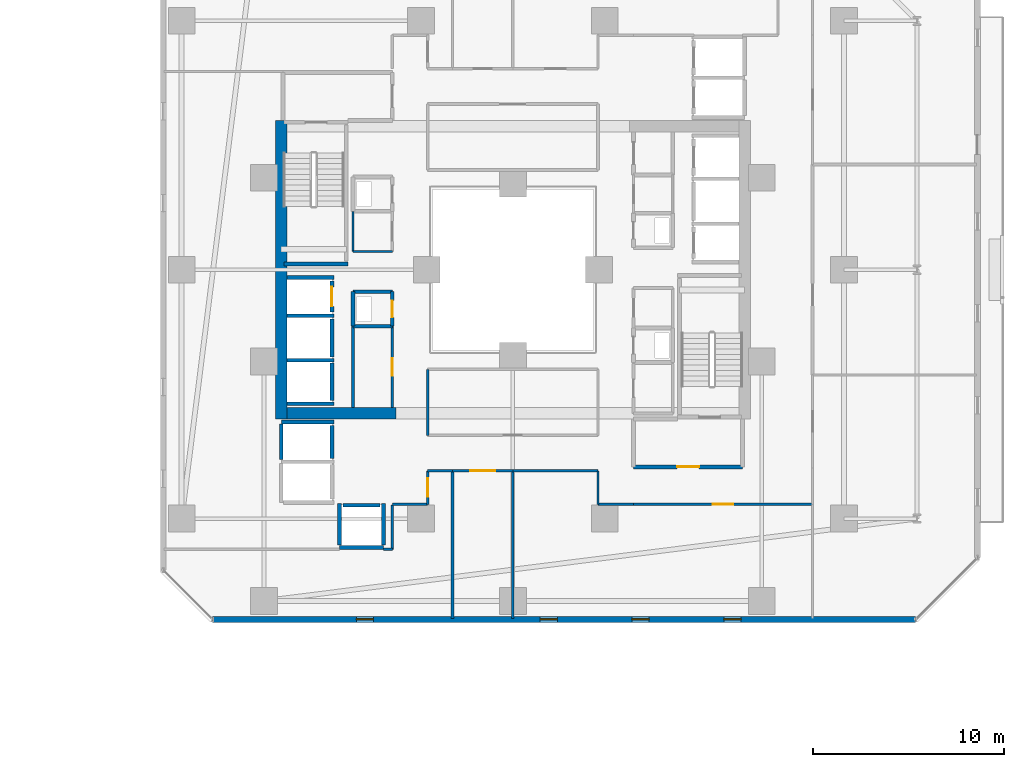
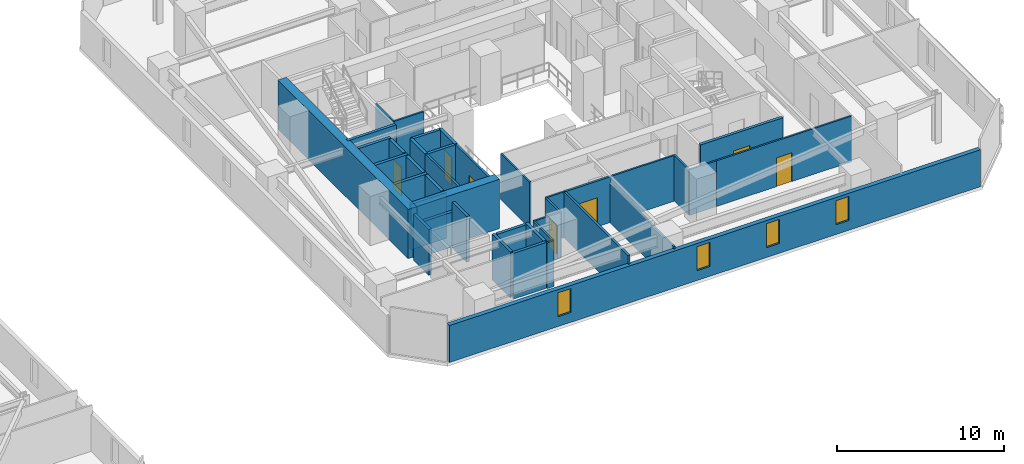
# One storey, part 24 of 34: 40 walls, 7 doors, 4 windows, 11 openings.
"""IFC4 building model written with IfcOpenShell, lengths in metres."""

import ifcopenshell
import ifcopenshell.guid

model = None  # the IFC model being written
_history = None  # IfcOwnerHistory: only IFC2X3 demands one
_inside = {}  # id of a spatial element -> (the spatial element, [elements in it])
_under = {}  # id of a project, library or spatial element -> (it, [spatial elements below it])
_declared = {}  # id of a project -> (the project, [libraries it declares])
_typed = {}  # id of a type object -> (the type object, [elements of that type])
_made_of = {}  # id of a material, layer set ... -> (it, [elements and type objects made of it])


def new_model(schema):
    """Start an empty IFC model of exactly this schema.

    Asked for "IFC4X3", IfcOpenShell would pick the latest addendum, in which some entities
    have other attributes; the version numbers below select the first issue.
    IFC2X3 requires an IfcOwnerHistory on every rooted entity: one is made here for all.
    """
    global model, _history
    if schema == "IFC4X3":
        model = ifcopenshell.file(schema_version=(4, 3, 0, 0))
    else:
        model = ifcopenshell.file(schema=schema)
    _inside.clear()
    _under.clear()
    _declared.clear()
    _typed.clear()
    _made_of.clear()
    _history = None
    if model.schema == "IFC2X3":
        org = make("IfcOrganization", Name="unknown")
        user = make(
            "IfcPersonAndOrganization",
            ThePerson=make("IfcPerson", FamilyName="unknown"),
            TheOrganization=org,
        )
        app = make(
            "IfcApplication",
            ApplicationDeveloper=org,
            Version="unknown",
            ApplicationFullName="unknown",
            ApplicationIdentifier="unknown",
        )
        _history = make(
            "IfcOwnerHistory",
            OwningUser=user,
            OwningApplication=app,
            ChangeAction="ADDED",
            CreationDate=0,
        )
    return model


def make(cls, **values):
    """One entity of the class cls with the attributes given. An attribute that is None is left unset."""
    return model.create_entity(
        cls, **{name: value for name, value in values.items() if value is not None}
    )


def rooted(cls, **values):
    """An entity with a GlobalId (a new one), such as an element, a storey or a relation."""
    return make(cls, GlobalId=ifcopenshell.guid.new(), OwnerHistory=_history, **values)


def si_unit(unit_type, name, prefix=None):
    """IfcSIUnit, for example si_unit("LENGTHUNIT", "METRE", prefix="MILLI")."""
    return make("IfcSIUnit", UnitType=unit_type, Prefix=prefix, Name=name)


def assignment(units):
    """IfcUnitAssignment: the units of a project."""
    return None if units is None else make("IfcUnitAssignment", Units=units)


def point(xyz):
    """IfcCartesianPoint."""
    return None if xyz is None else make("IfcCartesianPoint", Coordinates=xyz)


def direction(xyz):
    """IfcDirection."""
    return None if xyz is None else make("IfcDirection", DirectionRatios=xyz)


def frame(location, z_axis=None, x_axis=None):
    """IfcAxis2Placement3D, a coordinate frame: its origin and axes. An axis left out is left unset."""
    return make(
        "IfcAxis2Placement3D",
        Location=point(location),
        Axis=direction(z_axis),
        RefDirection=direction(x_axis),
    )


def frame_2d(location, x_axis=None):
    """IfcAxis2Placement2D, a coordinate frame in the plane: its origin and x axis."""
    return make(
        "IfcAxis2Placement2D", Location=point(location), RefDirection=direction(x_axis)
    )


def origin():
    """The frame at (0, 0, 0) with its axes left unset."""
    return frame((0.0, 0.0, 0.0))


def place(relative_to, where):
    """IfcLocalPlacement: puts the frame where relative to a parent placement (None: the world)."""
    return make(
        "IfcLocalPlacement", PlacementRelTo=relative_to, RelativePlacement=where
    )


def context(
    kind, dimensions, precision=None, world=None, true_north=None, identifier=None
):
    """IfcGeometricRepresentationContext, for example the 3D "Model" context."""
    return make(
        "IfcGeometricRepresentationContext",
        ContextIdentifier=identifier,
        ContextType=kind,
        CoordinateSpaceDimension=dimensions,
        Precision=precision,
        WorldCoordinateSystem=world,
        TrueNorth=true_north,
    )


def subcontext(parent, identifier, kind, view, scale=None):
    """IfcGeometricRepresentationSubContext, for example "Body" below "Model"."""
    return make(
        "IfcGeometricRepresentationSubContext",
        ContextIdentifier=identifier,
        ContextType=kind,
        ParentContext=parent,
        TargetScale=scale,
        TargetView=view,
    )


def project(units=None, contexts=None):
    """IfcProject with its units and contexts."""
    return rooted(
        "IfcProject",
        Name="project",
        RepresentationContexts=contexts,
        UnitsInContext=assignment(units),
    )


def spatial(cls, under=None, at=None, **own):
    """A site, building, storey or space (cls), placed at a placement, below another one or the project."""
    s = rooted(cls, ObjectPlacement=at, **own)
    if under is not None:
        _under.setdefault(under.id(), (under, []))[1].append(s)
    return s


def profile(cls, at=None, kind="AREA", **sizes):
    """A parametric profile (cls). Its sizes go by their IFC names, for example OverallWidth=200.0."""
    return make(cls, ProfileType=kind, Position=at, **sizes)


def rectangle(**sizes):
    """IfcRectangleProfileDef."""
    return profile("IfcRectangleProfileDef", **sizes)


def extrude(swept, where, along, depth):
    """IfcExtrudedAreaSolid: the profile swept, set in the frame where, extruded along a direction by depth."""
    return make(
        "IfcExtrudedAreaSolid",
        SweptArea=swept,
        Position=where,
        ExtrudedDirection=direction(along),
        Depth=depth,
    )


def shape(context_of_items, identifier, shape_type, items):
    """IfcShapeRepresentation: the items that make up one representation, for example the "Body"."""
    return make(
        "IfcShapeRepresentation",
        ContextOfItems=context_of_items,
        RepresentationIdentifier=identifier,
        RepresentationType=shape_type,
        Items=items,
    )


def material(Name=None, Category=None):
    """IfcMaterial."""
    return make("IfcMaterial", Name=Name, Category=Category)


def layer(
    of_material, thickness, ventilated=None, Name=None, Category=None, Priority=None
):
    """IfcMaterialLayer: one layer of a wall or slab, of a material (None: an air gap)."""
    return make(
        "IfcMaterialLayer",
        Material=of_material,
        LayerThickness=thickness,
        IsVentilated=ventilated,
        Name=Name,
        Category=Category,
        Priority=Priority,
    )


def layer_set(layers, Name=None):
    """IfcMaterialLayerSet."""
    return make("IfcMaterialLayerSet", MaterialLayers=layers, LayerSetName=Name)


def made_of(thing, what):
    """Note that an element or type object is made of a material, layer set ...; save() writes the relation."""
    if what is not None:
        _made_of.setdefault(what.id(), (what, []))[1].append(thing)
    return thing


def type_object(cls, material=None, **own):
    """A type object (cls), such as IfcWallType, which elements share."""
    return made_of(rooted(cls, **own), material)


def element(
    cls,
    number,
    at=None,
    inside=None,
    cuts=None,
    type_object=None,
    material=None,
    context=None,
    identifier="Body",
    shape_type=None,
    held_by="IfcProductDefinitionShape",
    body=None,
    shapes=None,
    **own,
):
    """One element of the class cls, such as IfcWall. Its Tag is "e" and its number.

    at: its placement. inside: the storey or other place that contains it. cuts: it is an
    opening in that element (IfcRelVoidsElement). A single representation is given by context,
    identifier, shape_type and body (its items); several are given by shapes. held_by: the class
    of the entity that holds the representations. save() writes the other relations.
    """
    e = rooted(cls, Tag="e%d" % number, ObjectPlacement=at, **own)
    if body is not None:
        shapes = [shape(context, identifier, shape_type, body)]
    if shapes is not None:
        e.Representation = make(held_by, Representations=shapes)
    if inside is not None:
        _inside.setdefault(inside.id(), (inside, []))[1].append(e)
    if cuts is not None:
        rooted(
            "IfcRelVoidsElement", RelatingBuildingElement=cuts, RelatedOpeningElement=e
        )
    if type_object is not None:
        _typed.setdefault(type_object.id(), (type_object, []))[1].append(e)
    return made_of(e, material)


def fill(opening, filler):
    """IfcRelFillsElement: the door or window that sits in an opening."""
    return rooted(
        "IfcRelFillsElement",
        RelatingOpeningElement=opening,
        RelatedBuildingElement=filler,
    )


def aggregate(whole, parts):
    """IfcRelAggregates: a whole, such as a stair, and the parts it consists of."""
    return rooted("IfcRelAggregates", RelatingObject=whole, RelatedObjects=parts)


def save(model, path):
    """Write the relations noted so far, then the file.

    IfcRelAggregates (storeys below a building ...), IfcRelContainedInSpatialStructure (elements
    in a storey), IfcRelDefinesByType, IfcRelAssociatesMaterial and IfcRelDeclares: one each for
    every whole, place, type object, material and project.
    """
    for whole, parts in _under.values():
        aggregate(whole, parts)
    for where, things in _inside.values():
        rooted(
            "IfcRelContainedInSpatialStructure",
            RelatedElements=things,
            RelatingStructure=where,
        )
    for kind, things in _typed.values():
        rooted("IfcRelDefinesByType", RelatedObjects=things, RelatingType=kind)
    for what, things in _made_of.values():
        rooted("IfcRelAssociatesMaterial", RelatedObjects=things, RelatingMaterial=what)
    for by, libraries in _declared.values():
        rooted("IfcRelDeclares", RelatingContext=by, RelatedDefinitions=libraries)
    model.write(path)


model = new_model("IFC4")

# Units and contexts
model_context = context("Model", 3, precision=1e-05, world=origin(), true_north=direction((0.0, 1.0)))
body_context = subcontext(model_context, "Body", "Model", "MODEL_VIEW")
ifc_project = project(units=[si_unit("LENGTHUNIT", "METRE"), si_unit("AREAUNIT", "SQUARE_METRE"), si_unit("VOLUMEUNIT", "CUBIC_METRE"), si_unit("PLANEANGLEUNIT", "RADIAN"), si_unit("MASSUNIT", "GRAM", prefix="KILO")], contexts=[model_context])

# Site, building, storey
site_placement = place(None, origin())
site = spatial("IfcSite", under=ifc_project, at=site_placement, CompositionType="ELEMENT")
building_placement = place(site_placement, origin())
building = spatial("IfcBuilding", under=site, at=building_placement, Name="Thornwick Lancets Civic Towers", CompositionType="ELEMENT")
storey_placement = place(building_placement, frame((0.0, 0.0, 60.89990234375)))
storey = spatial("IfcBuildingStorey", under=building, at=storey_placement, Name="L15", CompositionType="ELEMENT", Elevation=60.89990234375)

# Wall, opening, door
ifc_material_1 = material(Name="Concrete blockwork C40/50", Category="masonry")
ifc_layer_1 = layer(ifc_material_1, 0.199951171875, Name="Concrete blockwork C40/50")
ifc_layer_set_1 = layer_set([ifc_layer_1], Name="Concrete blockwork C40/50")
wall_type_1 = type_object("IfcWallType", Name="WALL_COMP_200", PredefinedType="STANDARD", material=ifc_layer_set_1)
wall_1_placement = place(storey_placement, frame((79.050048828125, 24.780029296875, 0.0), z_axis=(0.0, 0.0, 1.0), x_axis=(0.0, 1.0, 0.0)))
wall_1 = element("IfcWall", 1, at=wall_1_placement, inside=storey, type_object=wall_type_1, Name="L15 Hoistway Front Wall FL-B2", PredefinedType="STANDARD", context=body_context, shape_type="SweptSolid", body=[
    extrude(rectangle(XDim=1.639892578125, YDim=0.199951171875, at=frame_2d((0.81982421875, 0.0))), origin(), (0.0, 0.0, 1.0), 3.340087890625),
])
opening_1_placement = place(wall_1_placement, frame((0.31005859375, 0.0, 0.0)))
opening_1 = element("IfcOpeningElement", 2, at=opening_1_placement, cuts=wall_1, Name="Opening LD-FL-B2", PredefinedType="OPENING", context=body_context, shape_type="SweptSolid", body=[
    extrude(rectangle(XDim=1.02001953125, YDim=2.06005859375, at=frame_2d((0.510009765625, 1.030029296875))), frame((0.0, 0.10986328125, 0.0), z_axis=(0.0, -1.0, 0.0), x_axis=(1.0, 0.0, 0.0)), (0.0, 0.0, 1.0), 0.219970703125),
])
ifc_material_2 = material(Name="Brushed bronze stainless steel", Category="steel")
door_type_1 = type_object("IfcDoorType", Name="DOOR_LIFT_SLIDE", OperationType="SLIDING_TO_LEFT", PredefinedType="DOOR", material=ifc_material_2)
door_1_placement = place(opening_1_placement, origin())
door_1 = element("IfcDoor", 3, at=door_1_placement, inside=storey, type_object=door_type_1, Name="L15 Sliding Lift Landing Door LD-FL-B2", OperationType="SLIDING_TO_LEFT", OverallHeight=2.06005859375, OverallWidth=1.02001953125, PredefinedType="DOOR", context=body_context, shape_type="SweptSolid", body=[
    extrude(rectangle(XDim=1.02001953125, YDim=2.06005859375, at=frame_2d((0.510009765625, 1.030029296875))), frame((0.0, 0.02490234375, 0.0), z_axis=(0.0, -1.0, 0.0), x_axis=(1.0, 0.0, 0.0)), (0.0, 0.0, 1.0), 0.050048828125),
])
fill(opening_1, door_1)

# Walls
wall_2_placement = place(storey_placement, frame((79.050048828125, 22.429931640625, 0.0), z_axis=(0.0, 0.0, 1.0), x_axis=(0.0, 1.0, 0.0)))
element("IfcWall", 4, at=wall_2_placement, inside=storey, type_object=wall_type_1, Name="L15 Hoistway Front Wall PL-BH2", PredefinedType="STANDARD", context=body_context, shape_type="SweptSolid", body=[
    extrude(rectangle(XDim=1.989990234375, YDim=0.199951171875, at=frame_2d((0.9951171875, 0.0))), origin(), (0.0, 0.0, 1.0), 3.340087890625),
])
wall_3_placement = place(storey_placement, frame((79.050048828125, 20.179931640625, 0.0), z_axis=(0.0, 0.0, 1.0), x_axis=(0.0, 1.0, 0.0)))
element("IfcWall", 5, at=wall_3_placement, inside=storey, type_object=wall_type_1, Name="L15 Hoistway Front Wall PL-BH3", PredefinedType="STANDARD", context=body_context, shape_type="SweptSolid", body=[
    extrude(rectangle(XDim=1.940185546875, YDim=0.199951171875, at=frame_2d((0.97021484375, 0.0))), origin(), (0.0, 0.0, 1.0), 3.340087890625),
])
wall_4_placement = place(storey_placement, frame((79.050048828125, 17.1298828125, 0.0), z_axis=(0.0, 0.0, 1.0), x_axis=(0.0, 1.0, 0.0)))
element("IfcWall", 6, at=wall_4_placement, inside=storey, type_object=wall_type_1, Name="L15 Hoistway Front Wall PL-BM1", PredefinedType="STANDARD", context=body_context, shape_type="SweptSolid", body=[
    extrude(rectangle(XDim=1.740234375, YDim=0.199951171875, at=frame_2d((0.8701171875, 0.0))), origin(), (0.0, 0.0, 1.0), 3.340087890625),
])
wall_5_placement = place(storey_placement, frame((79.6298828125, 14.699951171875, 0.0), z_axis=(0.0, 0.0, 1.0), x_axis=(1.0, 0.0, 0.0)))
element("IfcWall", 7, at=wall_5_placement, inside=storey, type_object=wall_type_1, Name="L15 Hoistway Front Wall PL-BM3", PredefinedType="STANDARD", context=body_context, shape_type="SweptSolid", body=[
    extrude(rectangle(XDim=1.940185546875, YDim=0.199951171875, at=frame_2d((0.97021484375, 0.0))), origin(), (0.0, 0.0, 1.0), 3.340087890625),
])
for number, where, z_axis, x_axis, name in (
    (8, (76.7119140625, 26.60009765625, 0.0), (0.0, 0.0, 1.0), (1.0, 0.0, 0.0), "L15 Hoistway Shaft Wall FL-B2 N"),
    (9, (76.7119140625, 24.60009765625, 0.0), (0.0, 0.0, 1.0), (1.0, 0.0, 0.0), "L15 Hoistway Shaft Wall FL-B2 S"),
    (10, (76.7119140625, 22.27490234375, 0.0), (0.0, 0.0, 1.0), (1.0, 0.0, 0.0), "L15 Hoistway Shaft Wall PL-BH2 S"),
    (11, (76.7119140625, 20.0, 0.0), (0.0, 0.0, 1.0), (1.0, 0.0, 0.0), "L15 Hoistway Shaft Wall PL-BH3 S"),
):
    element("IfcWall", number, at=place(storey_placement, frame(where, z_axis=z_axis, x_axis=x_axis)), inside=storey, type_object=wall_type_1, Name=name, PredefinedType="STANDARD", context=body_context, shape_type="SweptSolid", body=[
        extrude(rectangle(XDim=2.43603515625, YDim=0.199951171875, at=frame_2d((1.218017578125, 0.0))), origin(), (0.0, 0.0, 1.0), 3.340087890625),
    ])
wall_6_placement = place(storey_placement, frame((76.402099609375, 19.050048828125, 0.0), z_axis=(0.0, 0.0, 1.0), x_axis=(1.0, 0.0, 0.0)))
element("IfcWall", 12, at=wall_6_placement, inside=storey, type_object=wall_type_1, Name="L15 Hoistway Shaft Wall PL-BM1 N", PredefinedType="STANDARD", context=body_context, shape_type="SweptSolid", body=[
    extrude(rectangle(XDim=2.745849609375, YDim=0.199951171875, at=frame_2d((1.373046875, 0.0))), origin(), (0.0, 0.0, 1.0), 2.545166015625),
])
wall_7_placement = place(storey_placement, frame((76.39990234375, 17.08203125, 0.0), z_axis=(0.0, 0.0, 1.0), x_axis=(0.0, 1.0, 0.0)))
element("IfcWall", 13, at=wall_7_placement, inside=storey, type_object=wall_type_1, Name="L15 Hoistway Shaft Wall PL-BM1 W", PredefinedType="STANDARD", context=body_context, shape_type="SweptSolid", body=[
    extrude(rectangle(XDim=1.85595703125, YDim=0.199951171875, at=frame_2d((0.927978515625, 0.0))), origin(), (0.0, 0.0, 1.0), 3.340087890625),
])
wall_8_placement = place(storey_placement, frame((79.451904296875, 12.5, 0.0), z_axis=(0.0, 0.0, 1.0), x_axis=(1.0, 0.0, 0.0)))
element("IfcWall", 14, at=wall_8_placement, inside=storey, type_object=wall_type_1, Name="L15 Hoistway Shaft Wall PL-BM3 S", PredefinedType="STANDARD", context=body_context, shape_type="SweptSolid", body=[
    extrude(rectangle(XDim=2.296142578125, YDim=0.199951171875, at=frame_2d((1.14794921875, 0.0))), origin(), (0.0, 0.0, 1.0), 3.340087890625),
])
for number, where, z_axis, x_axis, name in (
    (15, (81.75, 12.612060546875, 0.0), (0.0, 0.0, 1.0), (0.0, 1.0, 0.0), "L15 Hoistway Shaft Wall PL-BM3 E"),
    (16, (79.449951171875, 12.612060546875, 0.0), (0.0, 0.0, 1.0), (0.0, 1.0, 0.0), "L15 Hoistway Shaft Wall PL-BM3 W"),
):
    element("IfcWall", number, at=place(storey_placement, frame(where, z_axis=z_axis, x_axis=x_axis)), inside=storey, type_object=wall_type_1, Name=name, PredefinedType="STANDARD", context=body_context, shape_type="SweptSolid", body=[
        extrude(rectangle(XDim=2.18603515625, YDim=0.199951171875, at=frame_2d((1.093017578125, 0.0))), origin(), (0.0, 0.0, 1.0), 3.340087890625),
    ])

# Wall, opening, door
wall_9_placement = place(storey_placement, frame((94.800048828125, 16.699951171875, 0.0), z_axis=(0.0, 0.0, 1.0), x_axis=(1.0, 0.0, 0.0)))
wall_9 = element("IfcWall", 17, at=wall_9_placement, inside=storey, type_object=wall_type_1, Name="L15 Partition L15-B-FFLOB1 E1", PredefinedType="STANDARD", context=body_context, shape_type="SweptSolid", body=[
    extrude(rectangle(XDim=5.699951171875, YDim=0.199951171875, at=frame_2d((2.85009765625, 0.0))), origin(), (0.0, 0.0, 1.0), 3.340087890625),
])
opening_2_placement = place(wall_9_placement, frame((2.27490234375, 0.0, 0.0)))
opening_2 = element("IfcOpeningElement", 18, at=opening_2_placement, cuts=wall_9, Name="Opening D-L15-0715", PredefinedType="OPENING", context=body_context, shape_type="SweptSolid", body=[
    extrude(rectangle(XDim=1.14990234375, YDim=2.10009765625, at=frame_2d((0.574951171875, 1.050048828125))), frame((0.0, 0.10986328125, 0.0), z_axis=(0.0, -1.0, 0.0), x_axis=(1.0, 0.0, 0.0)), (0.0, 0.0, 1.0), 0.219970703125),
])
ifc_material_3 = material(Name="Glazed fire-resisting steel", Category="steel")
door_type_2 = type_object("IfcDoorType", Name="DOOR_LOBBY_FD60", OperationType="NOTDEFINED", PredefinedType="DOOR", material=ifc_material_3)
door_2_placement = place(opening_2_placement, origin())
door_2 = element("IfcDoor", 19, at=door_2_placement, inside=storey, type_object=door_type_2, Name="L15 East Firefighting Lobby 1 Door", OperationType="SINGLE_SWING_RIGHT", OverallHeight=2.10009765625, OverallWidth=1.14990234375, PredefinedType="DOOR", context=body_context, shape_type="SweptSolid", body=[
    extrude(rectangle(XDim=1.14990234375, YDim=2.10009765625, at=frame_2d((0.574951171875, 1.050048828125))), frame((0.0, 0.02490234375, 0.0), z_axis=(0.0, -1.0, 0.0), x_axis=(1.0, 0.0, 0.0)), (0.0, 0.0, 1.0), 0.050048828125),
])
fill(opening_2, door_2)

# Wall
wall_10_placement = place(storey_placement, frame((80.14990234375, 24.050048828125, 0.0), z_axis=(0.0, 0.0, 1.0), x_axis=(1.0, 0.0, 0.0)))
element("IfcWall", 20, at=wall_10_placement, inside=storey, type_object=wall_type_1, Name="L15 Partition L15-B-DUCT2 E1", PredefinedType="STANDARD", context=body_context, shape_type="SweptSolid", body=[
    extrude(rectangle(XDim=2.050048828125, YDim=0.199951171875, at=frame_2d((1.02490234375, 0.0))), origin(), (0.0, 0.0, 1.0), 3.340087890625),
])

# Wall, opening, door
wall_11_placement = place(storey_placement, frame((82.199951171875, 24.050048828125, 0.0), z_axis=(0.0, 0.0, 1.0), x_axis=(0.0, 1.0, 0.0)))
wall_11 = element("IfcWall", 21, at=wall_11_placement, inside=storey, type_object=wall_type_1, Name="L15 Partition L15-B-DUCT2 E2", PredefinedType="STANDARD", context=body_context, shape_type="SweptSolid", body=[
    extrude(rectangle(XDim=1.800048828125, YDim=0.199951171875, at=frame_2d((0.89990234375, 0.0))), origin(), (0.0, 0.0, 1.0), 3.340087890625),
])
opening_3_placement = place(wall_11_placement, frame((0.4599609375, 0.0, 0.0)))
opening_3 = element("IfcOpeningElement", 22, at=opening_3_placement, cuts=wall_11, Name="Opening D-L15-0719", PredefinedType="OPENING", context=body_context, shape_type="SweptSolid", body=[
    extrude(rectangle(XDim=0.8798828125, YDim=2.0400390625, at=frame_2d((0.43994140625, 1.02001953125))), frame((0.0, 0.10986328125, 0.0), z_axis=(0.0, -1.0, 0.0), x_axis=(1.0, 0.0, 0.0)), (0.0, 0.0, 1.0), 0.219970703125),
])
ifc_material_4 = material(Name="Steel riser access doorset", Category="steel")
door_type_3 = type_object("IfcDoorType", Name="DOOR_RISER_850", OperationType="NOTDEFINED", PredefinedType="DOOR", material=ifc_material_4)
door_3_placement = place(opening_3_placement, origin())
door_3 = element("IfcDoor", 23, at=door_3_placement, inside=storey, type_object=door_type_3, Name="L15 West Service Duct 2 Door", OperationType="SINGLE_SWING_RIGHT", OverallHeight=2.0400390625, OverallWidth=0.8798828125, PredefinedType="DOOR", context=body_context, shape_type="SweptSolid", body=[
    extrude(rectangle(XDim=0.8798828125, YDim=2.0400390625, at=frame_2d((0.43994140625, 1.02001953125))), frame((0.0, 0.02490234375, 0.0), z_axis=(0.0, -1.0, 0.0), x_axis=(1.0, 0.0, 0.0)), (0.0, 0.0, 1.0), 0.050048828125),
])
fill(opening_3, door_3)

# Walls
wall_12_placement = place(storey_placement, frame((82.199951171875, 25.85009765625, 0.0), z_axis=(0.0, 0.0, 1.0), x_axis=(-1.0, 0.0, 0.0)))
element("IfcWall", 24, at=wall_12_placement, inside=storey, type_object=wall_type_1, Name="L15 Partition L15-B-DUCT2 E3", PredefinedType="STANDARD", context=body_context, shape_type="SweptSolid", body=[
    extrude(rectangle(XDim=2.050048828125, YDim=0.199951171875, at=frame_2d((1.02490234375, 0.0))), origin(), (0.0, 0.0, 1.0), 3.340087890625),
])
wall_13_placement = place(storey_placement, frame((80.14990234375, 25.85009765625, 0.0), z_axis=(0.0, 0.0, 1.0), x_axis=(0.0, -1.0, 0.0)))
element("IfcWall", 25, at=wall_13_placement, inside=storey, type_object=wall_type_1, Name="L15 Partition L15-B-DUCT2 E4", PredefinedType="STANDARD", context=body_context, shape_type="SweptSolid", body=[
    extrude(rectangle(XDim=1.800048828125, YDim=0.199951171875, at=frame_2d((0.89990234375, 0.0))), origin(), (0.0, 0.0, 1.0), 3.340087890625),
])
ifc_material_5 = material(Name="Concrete C60/75", Category="concrete")
ifc_layer_2 = layer(ifc_material_5, 0.60009765625, Name="Concrete C60/75")
ifc_layer_set_2 = layer_set([ifc_layer_2], Name="Concrete C60/75")
wall_type_2 = type_object("IfcWallType", Name="WALL_CORE_600", PredefinedType="SHEAR", material=ifc_layer_set_2)
wall_14_placement = place(storey_placement, frame((76.39990234375, 19.199951171875, 0.0), z_axis=(0.0, 0.0, 1.0), x_axis=(0.0, 1.0, 0.0)))
element("IfcWall", 26, at=wall_14_placement, inside=storey, type_object=wall_type_2, Name="L15 Split Core B2 Shear Wall W", PredefinedType="SHEAR", context=body_context, shape_type="SweptSolid", body=[
    extrude(rectangle(XDim=15.60009765625, YDim=0.60009765625, at=frame_2d((7.800048828125, 0.0))), origin(), (0.0, 0.0, 1.0), 3.60009765625),
])
wall_15_placement = place(storey_placement, frame((76.699951171875, 19.5, 0.0), z_axis=(0.0, 0.0, 1.0), x_axis=(1.0, 0.0, 0.0)))
element("IfcWall", 27, at=wall_15_placement, inside=storey, type_object=wall_type_2, Name="L15 Split Core B2 Shear Wall S", PredefinedType="SHEAR", context=body_context, shape_type="SweptSolid", body=[
    extrude(rectangle(XDim=5.699951171875, YDim=0.60009765625, at=frame_2d((2.85009765625, 0.0))), origin(), (0.0, 0.0, 1.0), 3.60009765625),
])

# Wall, openings, windows
ifc_material_6 = material(Name="Insulated russet terracotta rainscreen on concrete C40/50", Category="masonry")
ifc_layer_3 = layer(ifc_material_6, 0.300048828125, Name="Insulated russet terracotta rainscreen on concrete C40/50")
ifc_layer_set_3 = layer_set([ifc_layer_3], Name="Insulated russet terracotta rainscreen on concrete C40/50")
wall_type_3 = type_object("IfcWallType", Name="WALL_EXT_RUSSET_300", PredefinedType="STANDARD", material=ifc_layer_set_3)
wall_16_placement = place(storey_placement, frame((72.81884765625, 8.735107421875, 0.0), z_axis=(0.0, 0.0, 1.0), x_axis=(0.999999998209, 5.985515e-05, 0.0)))
wall_16 = element("IfcWall", 28, at=wall_16_placement, inside=storey, type_object=wall_type_3, Name="L15 Tower B Terracotta Facade Wall E0", PredefinedType="STANDARD", context=body_context, shape_type="SweptSolid", body=[
    extrude(rectangle(XDim=36.709716796875, YDim=0.300048828125, at=frame_2d((18.35498046875, 0.0))), origin(), (0.0, 0.0, 1.0), 2.7001953125),
])
opening_4_placement = place(wall_16_placement, frame((7.5, 0.0, 0.719970703125)))
opening_4 = element("IfcOpeningElement", 29, at=opening_4_placement, cuts=wall_16, Name="Opening WL-01", PredefinedType="OPENING", context=body_context, shape_type="SweptSolid", body=[
    extrude(rectangle(XDim=0.89990234375, YDim=1.75, at=frame_2d((0.449951171875, 0.875))), frame((0.0, 0.16015625, 0.0), z_axis=(0.0, -1.0, 0.0), x_axis=(1.0, 0.0, 0.0)), (0.0, 0.0, 1.0), 0.320068359375),
])
opening_5_placement = place(wall_16_placement, frame((17.10009765625, 0.0, 0.719970703125)))
opening_5 = element("IfcOpeningElement", 30, at=opening_5_placement, cuts=wall_16, Name="Opening WL-01", PredefinedType="OPENING", context=body_context, shape_type="SweptSolid", body=[
    extrude(rectangle(XDim=0.89990234375, YDim=1.75, at=frame_2d((0.449951171875, 0.875))), frame((0.0, 0.16015625, 0.0), z_axis=(0.0, -1.0, 0.0), x_axis=(1.0, 0.0, 0.0)), (0.0, 0.0, 1.0), 0.320068359375),
])
opening_6_placement = place(wall_16_placement, frame((21.89990234375, 0.0, 0.719970703125)))
opening_6 = element("IfcOpeningElement", 31, at=opening_6_placement, cuts=wall_16, Name="Opening WL-01", PredefinedType="OPENING", context=body_context, shape_type="SweptSolid", body=[
    extrude(rectangle(XDim=0.89990234375, YDim=1.75, at=frame_2d((0.449951171875, 0.875))), frame((0.0, 0.16015625, 0.0), z_axis=(0.0, -1.0, 0.0), x_axis=(1.0, 0.0, 0.0)), (0.0, 0.0, 1.0), 0.320068359375),
])
opening_7_placement = place(wall_16_placement, frame((26.699951171875, 0.0, 0.719970703125)))
opening_7 = element("IfcOpeningElement", 32, at=opening_7_placement, cuts=wall_16, Name="Opening WL-01", PredefinedType="OPENING", context=body_context, shape_type="SweptSolid", body=[
    extrude(rectangle(XDim=0.89990234375, YDim=1.75, at=frame_2d((0.449951171875, 0.875))), frame((0.0, 0.16015625, 0.0), z_axis=(0.0, -1.0, 0.0), x_axis=(1.0, 0.0, 0.0)), (0.0, 0.0, 1.0), 0.320068359375),
])
ifc_material_7 = material(Name="Clear low-e double glazing in bronze frame", Category="glass")
window_type = type_object("IfcWindowType", Name="WIN_LANCET_900", PartitioningType="SINGLE_PANEL", PredefinedType="WINDOW", material=ifc_material_7)
window_1_placement = place(opening_4_placement, origin())
window_1 = element("IfcWindow", 33, at=window_1_placement, inside=storey, type_object=window_type, Name="L15 Tower B Staggered Lancet Window E0-1", OverallHeight=1.75, OverallWidth=0.89990234375, PartitioningType="SINGLE_PANEL", PredefinedType="WINDOW", context=body_context, shape_type="SweptSolid", body=[
    extrude(rectangle(XDim=0.89990234375, YDim=1.75, at=frame_2d((0.449951171875, 0.875))), frame((0.0, 0.030029296875, 0.0), z_axis=(0.0, -1.0, 0.0), x_axis=(1.0, 0.0, 0.0)), (0.0, 0.0, 1.0), 0.06005859375),
])
fill(opening_4, window_1)
window_2_placement = place(opening_5_placement, origin())
window_2 = element("IfcWindow", 34, at=window_2_placement, inside=storey, type_object=window_type, Name="L15 Tower B Staggered Lancet Window E0-2", OverallHeight=1.75, OverallWidth=0.89990234375, PartitioningType="SINGLE_PANEL", PredefinedType="WINDOW", context=body_context, shape_type="SweptSolid", body=[
    extrude(rectangle(XDim=0.89990234375, YDim=1.75, at=frame_2d((0.449951171875, 0.875))), frame((0.0, 0.030029296875, 0.0), z_axis=(0.0, -1.0, 0.0), x_axis=(1.0, 0.0, 0.0)), (0.0, 0.0, 1.0), 0.06005859375),
])
fill(opening_5, window_2)
window_3_placement = place(opening_6_placement, origin())
window_3 = element("IfcWindow", 35, at=window_3_placement, inside=storey, type_object=window_type, Name="L15 Tower B Staggered Lancet Window E0-3", OverallHeight=1.75, OverallWidth=0.89990234375, PartitioningType="SINGLE_PANEL", PredefinedType="WINDOW", context=body_context, shape_type="SweptSolid", body=[
    extrude(rectangle(XDim=0.89990234375, YDim=1.75, at=frame_2d((0.449951171875, 0.875))), frame((0.0, 0.030029296875, 0.0), z_axis=(0.0, -1.0, 0.0), x_axis=(1.0, 0.0, 0.0)), (0.0, 0.0, 1.0), 0.06005859375),
])
fill(opening_6, window_3)
window_4_placement = place(opening_7_placement, origin())
window_4 = element("IfcWindow", 36, at=window_4_placement, inside=storey, type_object=window_type, Name="L15 Tower B Staggered Lancet Window E0-4", OverallHeight=1.75, OverallWidth=0.89990234375, PartitioningType="SINGLE_PANEL", PredefinedType="WINDOW", context=body_context, shape_type="SweptSolid", body=[
    extrude(rectangle(XDim=0.89990234375, YDim=1.75, at=frame_2d((0.449951171875, 0.875))), frame((0.0, 0.030029296875, 0.0), z_axis=(0.0, -1.0, 0.0), x_axis=(1.0, 0.0, 0.0)), (0.0, 0.0, 1.0), 0.06005859375),
])
fill(opening_7, window_4)

# Walls
ifc_material_8 = material(Name="Acoustic gypsum board partition")
ifc_layer_4 = layer(ifc_material_8, 0.1201171875, Name="Acoustic gypsum board partition")
ifc_layer_set_4 = layer_set([ifc_layer_4], Name="Acoustic gypsum board partition")
wall_type_4 = type_object("IfcWallType", Name="WALL_PART_120", PredefinedType="PARTITIONING", material=ifc_layer_set_4)
wall_17_placement = place(storey_placement, frame((82.199951171875, 27.949951171875, 0.0), z_axis=(0.0, 0.0, 1.0), x_axis=(-1.0, 0.0, 0.0)))
element("IfcWall", 37, at=wall_17_placement, inside=storey, type_object=wall_type_4, Name="L15 Partition L15-B-ITR E1", PredefinedType="PARTITIONING", context=body_context, shape_type="SweptSolid", body=[
    extrude(rectangle(XDim=2.050048828125, YDim=0.1201171875, at=frame_2d((1.02490234375, 0.0))), origin(), (0.0, 0.0, 1.0), 3.340087890625),
])
wall_18_placement = place(storey_placement, frame((80.14990234375, 27.949951171875, 0.0), z_axis=(0.0, 0.0, 1.0), x_axis=(0.0, 1.0, 0.0)))
element("IfcWall", 38, at=wall_18_placement, inside=storey, type_object=wall_type_4, Name="L15 Partition L15-B-ITR E2", PredefinedType="PARTITIONING", context=body_context, shape_type="SweptSolid", body=[
    extrude(rectangle(XDim=2.10009765625, YDim=0.1201171875, at=frame_2d((1.050048828125, 0.0))), origin(), (0.0, 0.0, 1.0), 3.340087890625),
])
wall_19_placement = place(storey_placement, frame((92.949951171875, 16.5, 0.0), z_axis=(0.0, 0.0, 1.0), x_axis=(0.0, -1.0, 0.0)))
element("IfcWall", 39, at=wall_19_placement, inside=storey, type_object=wall_type_4, Name="L15 Partition L15-B-W1 E1", PredefinedType="PARTITIONING", context=body_context, shape_type="SweptSolid", body=[
    extrude(rectangle(XDim=1.75, YDim=0.1201171875, at=frame_2d((0.875, 0.0))), origin(), (0.0, 0.0, 1.0), 3.340087890625),
])
wall_20_placement = place(storey_placement, frame((92.949951171875, 14.75, 0.0), z_axis=(0.0, 0.0, 1.0), x_axis=(1.0, 0.0, 0.0)))
element("IfcWall", 40, at=wall_20_placement, inside=storey, type_object=wall_type_4, Name="L15 Partition L15-B-W1 E2", PredefinedType="PARTITIONING", context=body_context, shape_type="SweptSolid", body=[
    extrude(rectangle(XDim=1.85009765625, YDim=0.1201171875, at=frame_2d((0.925048828125, 0.0))), origin(), (0.0, 0.0, 1.0), 3.340087890625),
])

# Wall, opening, door
wall_21_placement = place(storey_placement, frame((94.800048828125, 14.75, 0.0), z_axis=(0.0, 0.0, 1.0), x_axis=(1.0, 0.0, 0.0)))
wall_21 = element("IfcWall", 41, at=wall_21_placement, inside=storey, type_object=wall_type_4, Name="L15 Partition L15-B-W1 E3", PredefinedType="PARTITIONING", context=body_context, shape_type="SweptSolid", body=[
    extrude(rectangle(XDim=9.349853515625, YDim=0.1201171875, at=frame_2d((4.6748046875, 0.0))), origin(), (0.0, 0.0, 1.0), 3.340087890625),
])
opening_8_placement = place(wall_21_placement, frame((4.14990234375, 0.0, 0.0)))
opening_8 = element("IfcOpeningElement", 42, at=opening_8_placement, cuts=wall_21, Name="Opening D-L15-0738", PredefinedType="OPENING", context=body_context, shape_type="SweptSolid", body=[
    extrude(rectangle(XDim=1.050048828125, YDim=2.10009765625, at=frame_2d((0.52490234375, 1.050048828125))), frame((0.0, 0.070068359375, 0.0), z_axis=(0.0, -1.0, 0.0), x_axis=(1.0, 0.0, 0.0)), (0.0, 0.0, 1.0), 0.14013671875),
])
ifc_material_9 = material(Name="Glazed European oak executive doorset")
door_type_4 = type_object("IfcDoorType", Name="DOOR_OFFICE_1050", OperationType="NOTDEFINED", PredefinedType="DOOR", material=ifc_material_9)
door_4_placement = place(opening_8_placement, origin())
door_4 = element("IfcDoor", 43, at=door_4_placement, inside=storey, type_object=door_type_4, Name="L15 Tower B Ministry Directorate Office W1 Door", OperationType="SINGLE_SWING_LEFT", OverallHeight=2.10009765625, OverallWidth=1.050048828125, PredefinedType="DOOR", context=body_context, shape_type="SweptSolid", body=[
    extrude(rectangle(XDim=1.050048828125, YDim=2.10009765625, at=frame_2d((0.52490234375, 1.050048828125))), frame((0.0, 0.02490234375, 0.0), z_axis=(0.0, -1.0, 0.0), x_axis=(1.0, 0.0, 0.0)), (0.0, 0.0, 1.0), 0.050048828125),
])
fill(opening_8, door_4)

# Walls
wall_22_placement = place(storey_placement, frame((88.5, 8.780029296875, 0.0), z_axis=(0.0, 0.0, 1.0), x_axis=(0.0, 1.0, 0.0)))
element("IfcWall", 44, at=wall_22_placement, inside=storey, type_object=wall_type_4, Name="L15 Partition L15-B-W1 E6", PredefinedType="PARTITIONING", context=body_context, shape_type="SweptSolid", body=[
    extrude(rectangle(XDim=7.719970703125, YDim=0.1201171875, at=frame_2d((3.85986328125, 0.0))), origin(), (0.0, 0.0, 1.0), 2.8779296875),
])
wall_23_placement = place(storey_placement, frame((88.5, 16.5, 0.0), z_axis=(0.0, 0.0, 1.0), x_axis=(1.0, 0.0, 0.0)))
element("IfcWall", 45, at=wall_23_placement, inside=storey, type_object=wall_type_4, Name="L15 Partition L15-B-W1 E7", PredefinedType="PARTITIONING", context=body_context, shape_type="SweptSolid", body=[
    extrude(rectangle(XDim=4.449951171875, YDim=0.1201171875, at=frame_2d((2.22509765625, 0.0))), origin(), (0.0, 0.0, 1.0), 3.340087890625),
])
wall_24_placement = place(storey_placement, frame((82.199951171875, 14.75, 0.0), z_axis=(0.0, 0.0, 1.0), x_axis=(1.0, 0.0, 0.0)))
element("IfcWall", 46, at=wall_24_placement, inside=storey, type_object=wall_type_4, Name="L15 Partition L15-B-W3 E2", PredefinedType="PARTITIONING", context=body_context, shape_type="SweptSolid", body=[
    extrude(rectangle(XDim=1.85009765625, YDim=0.1201171875, at=frame_2d((0.925048828125, 0.0))), origin(), (0.0, 0.0, 1.0), 3.340087890625),
])

# Wall, opening, door
wall_25_placement = place(storey_placement, frame((84.050048828125, 14.75, 0.0), z_axis=(0.0, 0.0, 1.0), x_axis=(0.0, 1.0, 0.0)))
wall_25 = element("IfcWall", 47, at=wall_25_placement, inside=storey, type_object=wall_type_4, Name="L15 Partition L15-B-W3 E3", PredefinedType="PARTITIONING", context=body_context, shape_type="SweptSolid", body=[
    extrude(rectangle(XDim=1.75, YDim=0.1201171875, at=frame_2d((0.875, 0.0))), origin(), (0.0, 0.0, 1.0), 3.340087890625),
])
opening_9_placement = place(wall_25_placement, frame((0.39990234375, 0.0, 0.0)))
opening_9 = element("IfcOpeningElement", 48, at=opening_9_placement, cuts=wall_25, Name="Opening D-L15-0740", PredefinedType="OPENING", context=body_context, shape_type="SweptSolid", body=[
    extrude(rectangle(XDim=0.949951171875, YDim=2.10009765625, at=frame_2d((0.47509765625, 1.050048828125))), frame((0.0, 0.070068359375, 0.0), z_axis=(0.0, -1.0, 0.0), x_axis=(1.0, 0.0, 0.0)), (0.0, 0.0, 1.0), 0.14013671875),
])
ifc_material_10 = material(Name="European oak acoustic doorset")
door_type_5 = type_object("IfcDoorType", Name="DOOR_OFFICE_950", OperationType="NOTDEFINED", PredefinedType="DOOR", material=ifc_material_10)
door_5_placement = place(opening_9_placement, origin())
door_5 = element("IfcDoor", 49, at=door_5_placement, inside=storey, type_object=door_type_5, Name="L15 Tower B Staff Tea Pantry and Lounge Door", OperationType="SINGLE_SWING_LEFT", OverallHeight=2.10009765625, OverallWidth=0.949951171875, PredefinedType="DOOR", context=body_context, shape_type="SweptSolid", body=[
    extrude(rectangle(XDim=0.949951171875, YDim=2.10009765625, at=frame_2d((0.47509765625, 1.050048828125))), frame((0.0, 0.02490234375, 0.0), z_axis=(0.0, -1.0, 0.0), x_axis=(1.0, 0.0, 0.0)), (0.0, 0.0, 1.0), 0.050048828125),
])
fill(opening_9, door_5)

# Walls
wall_26_placement = place(storey_placement, frame((84.050048828125, 16.5, 0.0), z_axis=(0.0, 0.0, 1.0), x_axis=(1.0, 0.0, 0.0)))
element("IfcWall", 50, at=wall_26_placement, inside=storey, type_object=wall_type_4, Name="L15 Partition L15-B-W3 E4", PredefinedType="PARTITIONING", context=body_context, shape_type="SweptSolid", body=[
    extrude(rectangle(XDim=1.300048828125, YDim=0.1201171875, at=frame_2d((0.64990234375, 0.0))), origin(), (0.0, 0.0, 1.0), 3.340087890625),
])
wall_27_placement = place(storey_placement, frame((81.748046875, 12.39990234375, 0.0), z_axis=(0.0, 0.0, 1.0), x_axis=(1.0, 0.0, 0.0)))
element("IfcWall", 51, at=wall_27_placement, inside=storey, type_object=wall_type_4, Name="L15 Partition L15-B-W3 E9", PredefinedType="PARTITIONING", context=body_context, shape_type="SweptSolid", body=[
    extrude(rectangle(XDim=0.451904296875, YDim=0.1201171875, at=frame_2d((0.22607421875, 0.0))), origin(), (0.0, 0.0, 1.0), 3.340087890625),
])
wall_28_placement = place(storey_placement, frame((82.199951171875, 12.39990234375, 0.0), z_axis=(0.0, 0.0, 1.0), x_axis=(0.0, 1.0, 0.0)))
element("IfcWall", 52, at=wall_28_placement, inside=storey, type_object=wall_type_4, Name="L15 Partition L15-B-W3 E10", PredefinedType="PARTITIONING", context=body_context, shape_type="SweptSolid", body=[
    extrude(rectangle(XDim=2.300048828125, YDim=0.1201171875, at=frame_2d((1.14990234375, 0.0))), origin(), (0.0, 0.0, 1.0), 3.340087890625),
])
wall_29_placement = place(storey_placement, frame((84.050048828125, 18.35009765625, 0.0), z_axis=(0.0, 0.0, 1.0), x_axis=(0.0, 1.0, 0.0)))
element("IfcWall", 53, at=wall_29_placement, inside=storey, type_object=wall_type_4, Name="L15 Partition L15-B-ATR-W E1", PredefinedType="PARTITIONING", context=body_context, shape_type="SweptSolid", body=[
    extrude(rectangle(XDim=3.449951171875, YDim=0.1201171875, at=frame_2d((1.72509765625, 0.0))), origin(), (0.0, 0.0, 1.0), 3.340087890625),
])
ifc_material_11 = material(Name="Twin-stud acoustic gypsum board")
ifc_layer_5 = layer(ifc_material_11, 0.14990234375, Name="Twin-stud acoustic gypsum board")
ifc_layer_set_5 = layer_set([ifc_layer_5], Name="Twin-stud acoustic gypsum board")
wall_type_5 = type_object("IfcWallType", Name="WALL_PART_150", PredefinedType="PARTITIONING", material=ifc_layer_set_5)
wall_30_placement = place(storey_placement, frame((80.14990234375, 19.800048828125, 0.0), z_axis=(0.0, 0.0, 1.0), x_axis=(0.0, 1.0, 0.0)))
element("IfcWall", 54, at=wall_30_placement, inside=storey, type_object=wall_type_5, Name="L15 Partition L15-B-FWC E2", PredefinedType="PARTITIONING", context=body_context, shape_type="SweptSolid", body=[
    extrude(rectangle(XDim=4.25, YDim=0.14990234375, at=frame_2d((2.125, 0.0))), origin(), (0.0, 0.0, 1.0), 3.340087890625),
])

# Wall, opening, door
wall_31_placement = place(storey_placement, frame((82.199951171875, 24.050048828125, 0.0), z_axis=(0.0, 0.0, 1.0), x_axis=(0.0, -1.0, 0.0)))
wall_31 = element("IfcWall", 55, at=wall_31_placement, inside=storey, type_object=wall_type_5, Name="L15 Partition L15-B-FWC E4", PredefinedType="PARTITIONING", context=body_context, shape_type="SweptSolid", body=[
    extrude(rectangle(XDim=4.25, YDim=0.14990234375, at=frame_2d((2.125, 0.0))), origin(), (0.0, 0.0, 1.0), 3.340087890625),
])
opening_10_placement = place(wall_31_placement, frame((1.6650390625, 0.0, 0.0)))
opening_10 = element("IfcOpeningElement", 56, at=opening_10_placement, cuts=wall_31, Name="Opening D-L15-0725", PredefinedType="OPENING", context=body_context, shape_type="SweptSolid", body=[
    extrude(rectangle(XDim=0.919921875, YDim=2.080078125, at=frame_2d((0.4599609375, 1.0400390625))), frame((0.0, 0.0849609375, 0.0), z_axis=(0.0, -1.0, 0.0), x_axis=(1.0, 0.0, 0.0)), (0.0, 0.0, 1.0), 0.169921875),
])
ifc_material_12 = material(Name="Moisture-resistant oak doorset")
door_type_6 = type_object("IfcDoorType", Name="DOOR_WC_900", OperationType="NOTDEFINED", PredefinedType="DOOR", material=ifc_material_12)
door_6_placement = place(opening_10_placement, origin())
door_6 = element("IfcDoor", 57, at=door_6_placement, inside=storey, type_object=door_type_6, Name="L15 Tower B Female WC Door", OperationType="SINGLE_SWING_RIGHT", OverallHeight=2.080078125, OverallWidth=0.919921875, PredefinedType="DOOR", context=body_context, shape_type="SweptSolid", body=[
    extrude(rectangle(XDim=0.919921875, YDim=2.080078125, at=frame_2d((0.4599609375, 1.0400390625))), frame((0.0, 0.02490234375, 0.0), z_axis=(0.0, -1.0, 0.0), x_axis=(1.0, 0.0, 0.0)), (0.0, 0.0, 1.0), 0.050048828125),
])
fill(opening_10, door_6)

# Wall
wall_32_placement = place(storey_placement, frame((85.35009765625, 8.780029296875, 0.0), z_axis=(0.0, 0.0, 1.0), x_axis=(0.0, 1.0, 0.0)))
element("IfcWall", 58, at=wall_32_placement, inside=storey, type_object=wall_type_5, Name="L15 Partition L15-B-W2 E3", PredefinedType="PARTITIONING", context=body_context, shape_type="SweptSolid", body=[
    extrude(rectangle(XDim=7.719970703125, YDim=0.14990234375, at=frame_2d((3.85986328125, 0.0))), origin(), (0.0, 0.0, 1.0), 3.340087890625),
])

# Wall, opening, door
wall_33_placement = place(storey_placement, frame((85.35009765625, 16.5, 0.0), z_axis=(0.0, 0.0, 1.0), x_axis=(1.0, 0.0, 0.0)))
wall_33 = element("IfcWall", 59, at=wall_33_placement, inside=storey, type_object=wall_type_5, Name="L15 Partition L15-B-W2 E4", PredefinedType="PARTITIONING", context=body_context, shape_type="SweptSolid", body=[
    extrude(rectangle(XDim=3.14990234375, YDim=0.14990234375, at=frame_2d((1.574951171875, 0.0))), origin(), (0.0, 0.0, 1.0), 3.340087890625),
])
opening_11_placement = place(wall_33_placement, frame((0.925048828125, 0.0, 0.0)))
opening_11 = element("IfcOpeningElement", 60, at=opening_11_placement, cuts=wall_33, Name="Opening D-L15-0739", PredefinedType="OPENING", context=body_context, shape_type="SweptSolid", body=[
    extrude(rectangle(XDim=1.300048828125, YDim=2.1201171875, at=frame_2d((0.64990234375, 1.06005859375))), frame((0.0, 0.0849609375, 0.0), z_axis=(0.0, -1.0, 0.0), x_axis=(1.0, 0.0, 0.0)), (0.0, 0.0, 1.0), 0.169921875),
])
ifc_material_13 = material(Name="Acoustic oak leaf-and-a-half doorset")
door_type_7 = type_object("IfcDoorType", Name="DOOR_MEET_1300", OperationType="DOUBLE_DOOR_SINGLE_SWING", PredefinedType="DOOR", material=ifc_material_13)
door_7_placement = place(opening_11_placement, origin())
door_7 = element("IfcDoor", 61, at=door_7_placement, inside=storey, type_object=door_type_7, Name="L15 Tower B Policy Briefing Room W2 Door", OperationType="DOUBLE_DOOR_SINGLE_SWING", OverallHeight=2.1201171875, OverallWidth=1.300048828125, PredefinedType="DOOR", context=body_context, shape_type="SweptSolid", body=[
    extrude(rectangle(XDim=1.300048828125, YDim=2.1201171875, at=frame_2d((0.64990234375, 1.06005859375))), frame((0.0, 0.02490234375, 0.0), z_axis=(0.0, -1.0, 0.0), x_axis=(1.0, 0.0, 0.0)), (0.0, 0.0, 1.0), 0.050048828125),
])
fill(opening_11, door_7)

# Wall
ifc_material_14 = material(Name="Concrete C40/50", Category="concrete")
ifc_layer_6 = layer(ifc_material_14, 0.199951171875, Name="Concrete C40/50")
ifc_layer_set_6 = layer_set([ifc_layer_6], Name="Concrete C40/50")
wall_type_6 = type_object("IfcWallType", Name="WALL_SHAFT_200", PredefinedType="SHEAR", material=ifc_layer_set_6)
wall_34_placement = place(storey_placement, frame((79.89990234375, 27.300048828125, 0.0), z_axis=(0.0, 0.0, 1.0), x_axis=(-1.0, 0.0, 0.0)))
element("IfcWall", 62, at=wall_34_placement, inside=storey, type_object=wall_type_6, Name="L15 ST-B2 Fire Stair Core Wall FAR", PredefinedType="SHEAR", context=body_context, shape_type="SweptSolid", body=[
    extrude(rectangle(XDim=3.349853515625, YDim=0.199951171875, at=frame_2d((1.6748046875, 0.0))), origin(), (0.0, 0.0, 1.0), 3.60009765625),
])

save(model, "model.ifc")
